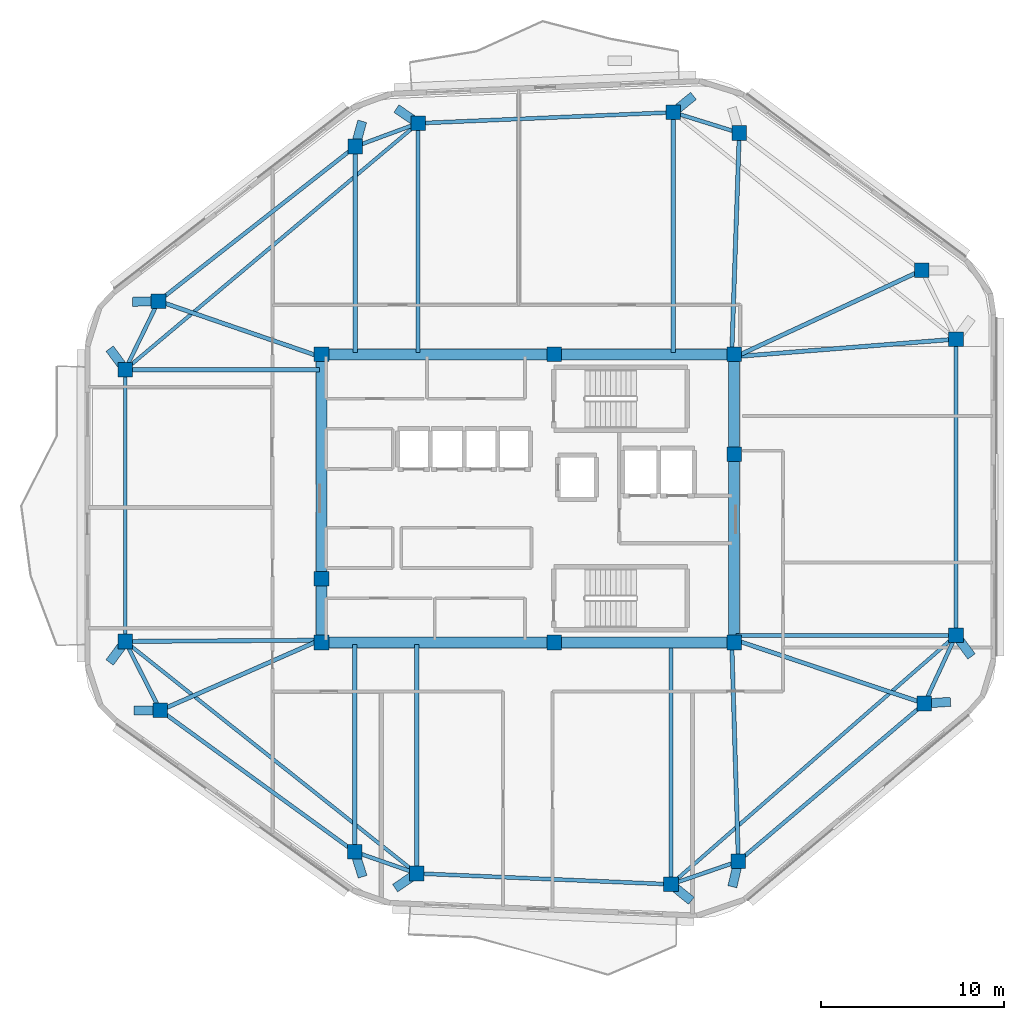
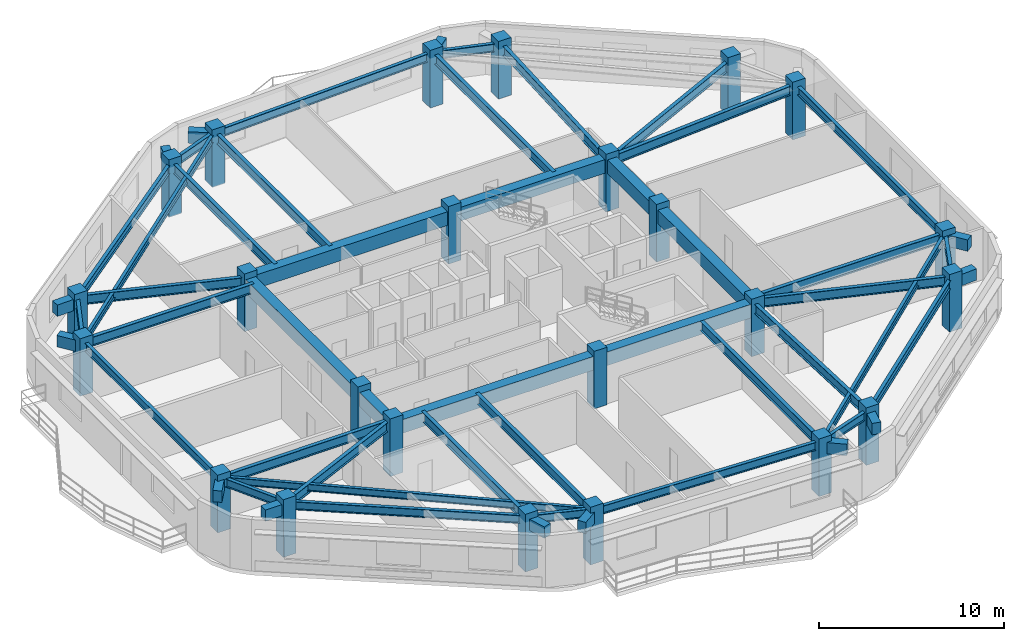
# One storey, part 1 of 9: 54 beams, 24 columns.
"""IFC4 building model written with IfcOpenShell, lengths in metres."""

from ifc_helpers import new_model, si_unit, direction, frame, origin, origin_2d, place, context, subcontext, project, spatial, rectangle, i_section, extrude, material, material_profile, profile_set, type_object, element, save


model = new_model("IFC4")

# Units and contexts
model_context = context("Model", 3, precision=1e-05, world=origin(), true_north=direction((0.0, 1.0)))
body_context = subcontext(model_context, "Body", "Model", "MODEL_VIEW")
ifc_project = project(units=[si_unit("LENGTHUNIT", "METRE"), si_unit("AREAUNIT", "SQUARE_METRE"), si_unit("VOLUMEUNIT", "CUBIC_METRE"), si_unit("PLANEANGLEUNIT", "RADIAN"), si_unit("MASSUNIT", "GRAM", prefix="KILO")], contexts=[model_context])

# Site, building, storey
site_placement = place(None, origin())
site = spatial("IfcSite", under=ifc_project, at=site_placement, CompositionType="ELEMENT")
building_placement = place(site_placement, origin())
building = spatial("IfcBuilding", under=site, at=building_placement, Name="Zulverin Broadcast Headquarters", CompositionType="ELEMENT")
storey_placement = place(building_placement, frame((0.0, 0.0, 304.800048828125)))
storey = spatial("IfcBuildingStorey", under=building, at=storey_placement, Name="L78", CompositionType="ELEMENT", Elevation=304.800048828125)

# Columns
ifc_material_1 = material(Name="Concrete C50/60", Category="concrete")
ifc_material_profile_1 = material_profile(ifc_material_1, rectangle(XDim=0.800048828125, YDim=0.800048828125, at=origin_2d()), Name="Concrete C50/60", Category="concrete")
ifc_profile_set_1 = profile_set([ifc_material_profile_1], Name="Concrete C50/60")
column_type_1 = type_object("IfcColumnType", Name="COL-RC-800", PredefinedType="COLUMN", material=ifc_profile_set_1)
for number, where, z_axis, x_axis, name in (
    (1, (30.93359375, 4.703125, 0.0), (0.0, 0.0, 1.0), (1.0, 0.0, 0.0), "L78 Perimeter Column T01"),
    (2, (44.826904296875, 4.1083984375, 0.0), (0.0, 0.0, 1.0), (1.0, 0.0, 0.0), "L78 Perimeter Column T02"),
    (3, (48.5078125, 5.3701171875, 0.0), (0.0, 0.0, 1.0), (1.0, 0.0, 0.0), "L78 Perimeter Column T03"),
    (4, (58.6748046875, 13.9892578125, 0.0), (0.0, 0.0, 1.0), (1.0, 0.0, 0.0), "L78 Perimeter Column T04"),
    (5, (60.39990234375, 17.713623046875, 0.0), (0.0, 0.0, 1.0), (1.0, 0.0, 0.0), "L78 Perimeter Column T05"),
    (6, (60.39990234375, 33.903076171875, 0.0), (0.0, 0.0, 1.0), (1.0, 0.0, 0.0), "L78 Perimeter Column T06"),
    (7, (58.52587890625, 37.661865234375, 0.0), (0.0, 0.0, 1.0), (1.0, 0.0, 0.0), "L78 Perimeter Column T07"),
    (8, (48.55908203125, 45.172607421875, 0.0), (0.0, 0.0, 1.0), (1.0, 0.0, 0.0), "L78 Perimeter Column T08"),
    (9, (44.944580078125, 46.296630859375, 0.0), (0.0, 0.0, 1.0), (1.0, 0.0, 0.0), "L78 Perimeter Column T09"),
    (10, (31.006591796875, 45.699951171875, 0.0), (0.0, 0.0, 1.0), (1.0, 0.0, 0.0), "L78 Perimeter Column T10"),
    (11, (27.573486328125, 44.4296875, 0.0), (0.0, 0.0, 1.0), (1.0, 0.0, 0.0), "L78 Perimeter Column T11"),
    (12, (16.82177734375, 35.98388671875, 0.0), (0.0, 0.0, 1.0), (1.0, 0.0, 0.0), "L78 Perimeter Column T12"),
    (13, (15.0, 32.236083984375, 0.0), (0.0, 0.0, 1.0), (1.0, 0.0, 0.0), "L78 Perimeter Column T13"),
    (14, (15.0, 17.383056640625, 0.0), (0.0, 0.0, 1.0), (1.0, 0.0, 0.0), "L78 Perimeter Column T14"),
    (15, (16.918212890625, 13.61572265625, 0.0), (0.0, 0.0, 1.0), (1.0, 0.0, 0.0), "L78 Perimeter Column T15"),
    (16, (27.54541015625, 5.8857421875, 0.0), (0.0, 0.0, 1.0), (1.0, 0.0, 0.0), "L78 Perimeter Column T16"),
):
    element("IfcColumn", number, at=place(storey_placement, frame(where, z_axis=z_axis, x_axis=x_axis)), inside=storey, type_object=column_type_1, Name=name, PredefinedType="COLUMN", context=body_context, shape_type="SweptSolid", body=[
        extrude(rectangle(XDim=0.800048828125, YDim=0.800048828125, at=origin_2d()), origin(), (0.0, 0.0, 1.0), 3.800048828125),
    ])
ifc_material_profile_2 = material_profile(ifc_material_1, rectangle(XDim=0.800048828125, YDim=0.800048828125, at=origin_2d()), Name="Concrete C50/60", Category="concrete")
ifc_profile_set_2 = profile_set([ifc_material_profile_2], Name="Concrete C50/60")
column_type_2 = type_object("IfcColumnType", Name="PIL-RC-800", PredefinedType="PILASTER", material=ifc_profile_set_2)
for number, where, z_axis, x_axis, name in (
    (17, (25.72509765625, 17.324951171875, 0.0), (0.0, 0.0, 1.0), (1.0, 0.0, 0.0), "L78 Core Pilaster K01"),
    (18, (38.449951171875, 17.324951171875, 0.0), (0.0, 0.0, 1.0), (1.0, 0.0, 0.0), "L78 Core Pilaster K02"),
    (19, (48.27490234375, 17.324951171875, 0.0), (0.0, 0.0, 1.0), (1.0, 0.0, 0.0), "L78 Core Pilaster K03"),
    (20, (48.27490234375, 27.6201171875, 0.0), (0.0, 0.0, 1.0), (1.0, 0.0, 0.0), "L78 Core Pilaster K04"),
    (21, (48.27490234375, 33.074951171875, 0.0), (0.0, 0.0, 1.0), (1.0, 0.0, 0.0), "L78 Core Pilaster K05"),
    (22, (38.449951171875, 33.074951171875, 0.0), (0.0, 0.0, 1.0), (1.0, 0.0, 0.0), "L78 Core Pilaster K06"),
    (23, (25.72509765625, 33.074951171875, 0.0), (0.0, 0.0, 1.0), (1.0, 0.0, 0.0), "L78 Core Pilaster K07"),
    (24, (25.72509765625, 20.800048828125, 0.0), (0.0, 0.0, 1.0), (1.0, 0.0, 0.0), "L78 Core Pilaster K08"),
):
    element("IfcColumn", number, at=place(storey_placement, frame(where, z_axis=z_axis, x_axis=x_axis)), inside=storey, type_object=column_type_2, Name=name, PredefinedType="PILASTER", context=body_context, shape_type="SweptSolid", body=[
        extrude(rectangle(XDim=0.800048828125, YDim=0.800048828125, at=origin_2d()), origin(), (0.0, 0.0, 1.0), 3.800048828125),
    ])

# Beams
ifc_material_2 = material(Name="Concrete C60/75", Category="concrete")
ifc_material_profile_3 = material_profile(ifc_material_2, rectangle(XDim=0.60009765625, YDim=0.89990234375, at=origin_2d()), Name="Concrete C60/75", Category="concrete")
ifc_profile_set_3 = profile_set([ifc_material_profile_3], Name="Concrete C60/75")
beam_type_1 = type_object("IfcBeamType", Name="BM-CB-600x900", PredefinedType="LINTEL", material=ifc_profile_set_3)
beam_1_placement = place(storey_placement, frame((25.72509765625, 17.324951171875, 2.949951171875), z_axis=(1.0, 0.0, 0.0), x_axis=(0.0, 1.0, 0.0)))
element("IfcBeam", 25, at=beam_1_placement, inside=storey, type_object=beam_type_1, Name="L78 Core Coupling Girder K01-K02", PredefinedType="LINTEL", context=body_context, shape_type="SweptSolid", body=[
    extrude(rectangle(XDim=0.60009765625, YDim=0.89990234375, at=origin_2d()), origin(), (0.0, 0.0, 1.0), 12.724853515625),
])
beam_2_placement = place(storey_placement, frame((38.449951171875, 17.324951171875, 2.949951171875), z_axis=(1.0, 0.0, 0.0), x_axis=(0.0, 1.0, 0.0)))
element("IfcBeam", 26, at=beam_2_placement, inside=storey, type_object=beam_type_1, Name="L78 Core Coupling Girder K02-K03", PredefinedType="LINTEL", context=body_context, shape_type="SweptSolid", body=[
    extrude(rectangle(XDim=0.60009765625, YDim=0.89990234375, at=origin_2d()), origin(), (0.0, 0.0, 1.0), 9.824951171875),
])
beam_3_placement = place(storey_placement, frame((48.27490234375, 17.324951171875, 2.949951171875), z_axis=(0.0, 1.0, 0.0), x_axis=(-1.0, 0.0, 0.0)))
element("IfcBeam", 27, at=beam_3_placement, inside=storey, type_object=beam_type_1, Name="L78 Core Coupling Girder K03-K04", PredefinedType="LINTEL", context=body_context, shape_type="SweptSolid", body=[
    extrude(rectangle(XDim=0.60009765625, YDim=0.89990234375, at=origin_2d()), origin(), (0.0, 0.0, 1.0), 10.295166015625),
])
beam_4_placement = place(storey_placement, frame((48.27490234375, 27.6201171875, 2.949951171875), z_axis=(0.0, 1.0, 0.0), x_axis=(-1.0, 0.0, 0.0)))
element("IfcBeam", 28, at=beam_4_placement, inside=storey, type_object=beam_type_1, Name="L78 Core Coupling Girder K04-K05", PredefinedType="LINTEL", context=body_context, shape_type="SweptSolid", body=[
    extrude(rectangle(XDim=0.60009765625, YDim=0.89990234375, at=origin_2d()), origin(), (0.0, 0.0, 1.0), 5.454833984375),
])
beam_5_placement = place(storey_placement, frame((48.27490234375, 33.074951171875, 2.949951171875), z_axis=(-1.0, 0.0, 0.0), x_axis=(0.0, -1.0, 0.0)))
element("IfcBeam", 29, at=beam_5_placement, inside=storey, type_object=beam_type_1, Name="L78 Core Coupling Girder K05-K06", PredefinedType="LINTEL", context=body_context, shape_type="SweptSolid", body=[
    extrude(rectangle(XDim=0.60009765625, YDim=0.89990234375, at=origin_2d()), origin(), (0.0, 0.0, 1.0), 9.824951171875),
])
beam_6_placement = place(storey_placement, frame((38.449951171875, 33.074951171875, 2.949951171875), z_axis=(-1.0, 0.0, 0.0), x_axis=(0.0, -1.0, 0.0)))
element("IfcBeam", 30, at=beam_6_placement, inside=storey, type_object=beam_type_1, Name="L78 Core Coupling Girder K06-K07", PredefinedType="LINTEL", context=body_context, shape_type="SweptSolid", body=[
    extrude(rectangle(XDim=0.60009765625, YDim=0.89990234375, at=origin_2d()), origin(), (0.0, 0.0, 1.0), 12.724853515625),
])
beam_7_placement = place(storey_placement, frame((25.72509765625, 33.074951171875, 2.949951171875), z_axis=(0.0, -1.0, 0.0), x_axis=(1.0, 0.0, 0.0)))
element("IfcBeam", 31, at=beam_7_placement, inside=storey, type_object=beam_type_1, Name="L78 Core Coupling Girder K07-K08", PredefinedType="LINTEL", context=body_context, shape_type="SweptSolid", body=[
    extrude(rectangle(XDim=0.60009765625, YDim=0.89990234375, at=origin_2d()), origin(), (0.0, 0.0, 1.0), 12.27490234375),
])
beam_8_placement = place(storey_placement, frame((25.72509765625, 20.800048828125, 2.949951171875), z_axis=(0.0, -1.0, 0.0), x_axis=(1.0, 0.0, 0.0)))
element("IfcBeam", 32, at=beam_8_placement, inside=storey, type_object=beam_type_1, Name="L78 Core Coupling Girder K08-K01", PredefinedType="LINTEL", context=body_context, shape_type="SweptSolid", body=[
    extrude(rectangle(XDim=0.60009765625, YDim=0.89990234375, at=origin_2d()), origin(), (0.0, 0.0, 1.0), 3.47509765625),
])
ifc_material_3 = material(Name="Concrete C40/50", Category="concrete")
ifc_material_profile_4 = material_profile(ifc_material_3, rectangle(XDim=0.5, YDim=0.75, at=origin_2d()), Name="Concrete C40/50", Category="concrete")
ifc_profile_set_4 = profile_set([ifc_material_profile_4], Name="Concrete C40/50")
beam_type_2 = type_object("IfcBeamType", Name="BM-RC-500x750", PredefinedType="BEAM", material=ifc_profile_set_4)
beam_9_placement = place(storey_placement, frame((30.93359375, 4.703125, 3.02490234375), z_axis=(-0.828937735215, -0.55934088992, 0.0), x_axis=(0.55934088992, -0.828937735215, 0.0)))
element("IfcBeam", 33, at=beam_9_placement, inside=storey, type_object=beam_type_2, Name="L79 Plate Overhang Back-Spanned Beam OVR-01", PredefinedType="BEAM", context=body_context, shape_type="SweptSolid", body=[
    extrude(rectangle(XDim=0.5, YDim=0.75, at=origin_2d()), origin(), (0.0, 0.0, 1.0), 1.429931640625),
])
for number, where, z_axis, x_axis, name in (
    (34, (44.826904296875, 4.1083984375, 3.02490234375), (0.778063117916, -0.628186106611, 0.0), (0.628186106611, 0.778063117916, 0.0), "L79 Plate Overhang Back-Spanned Beam OVR-02"),
    (35, (48.5078125, 5.3701171875, 3.02490234375), (-0.229096424131, -0.97340373353, 0.0), (0.97340373353, -0.229096424131, 0.0), "L79 Plate Overhang Back-Spanned Beam OVR-03"),
    (36, (58.6748046875, 13.9892578125, 3.02490234375), (0.997770025499, 0.066745608207, 0.0), (-0.066745608207, 0.997770025499, 0.0), "L79 Plate Overhang Back-Spanned Beam OVR-04"),
):
    element("IfcBeam", number, at=place(storey_placement, frame(where, z_axis=z_axis, x_axis=x_axis)), inside=storey, type_object=beam_type_2, Name=name, PredefinedType="BEAM", context=body_context, shape_type="SweptSolid", body=[
        extrude(rectangle(XDim=0.5, YDim=0.75, at=origin_2d()), origin(), (0.0, 0.0, 1.0), 1.43017578125),
    ])
beam_10_placement = place(storey_placement, frame((60.39990234375, 17.713623046875, 3.02490234375), z_axis=(0.594467864193, -0.804119368279, 0.0), x_axis=(0.804119368279, 0.594467864193, 0.0)))
element("IfcBeam", 37, at=beam_10_placement, inside=storey, type_object=beam_type_2, Name="L79 Plate Overhang Back-Spanned Beam OVR-05", PredefinedType="BEAM", context=body_context, shape_type="SweptSolid", body=[
    extrude(rectangle(XDim=0.5, YDim=0.75, at=origin_2d()), origin(), (0.0, 0.0, 1.0), 1.429931640625),
])
beam_11_placement = place(storey_placement, frame((44.944580078125, 46.296630859375, 3.02490234375), z_axis=(0.778063117916, 0.628186106611, 0.0), x_axis=(-0.628186106611, 0.778063117916, 0.0)))
element("IfcBeam", 38, at=beam_11_placement, inside=storey, type_object=beam_type_2, Name="L79 Plate Overhang Back-Spanned Beam OVR-09", PredefinedType="BEAM", context=body_context, shape_type="SweptSolid", body=[
    extrude(rectangle(XDim=0.5, YDim=0.75, at=origin_2d()), origin(), (0.0, 0.0, 1.0), 1.43017578125),
])
beam_12_placement = place(storey_placement, frame((31.006591796875, 45.699951171875, 3.02490234375), z_axis=(-0.82885856985, 0.559458194315, 0.0), x_axis=(-0.559458194315, -0.82885856985, 0.0)))
element("IfcBeam", 39, at=beam_12_placement, inside=storey, type_object=beam_type_2, Name="L79 Plate Overhang Back-Spanned Beam OVR-10", PredefinedType="BEAM", context=body_context, shape_type="SweptSolid", body=[
    extrude(rectangle(XDim=0.5, YDim=0.75, at=origin_2d()), origin(), (0.0, 0.0, 1.0), 1.429931640625),
])
for number, where, z_axis, x_axis, name in (
    (40, (27.573486328125, 44.4296875, 3.02490234375), (0.265124739882, 0.964214121605, 0.0), (-0.964214121605, 0.265124739882, 0.0), "L79 Plate Overhang Back-Spanned Beam OVR-11"),
    (41, (16.82177734375, 35.98388671875, 3.02490234375), (-0.999568786729, -0.029363933615, 0.0), (0.029363933615, -0.999568786729, 0.0), "L79 Plate Overhang Back-Spanned Beam OVR-12"),
):
    element("IfcBeam", number, at=place(storey_placement, frame(where, z_axis=z_axis, x_axis=x_axis)), inside=storey, type_object=beam_type_2, Name=name, PredefinedType="BEAM", context=body_context, shape_type="SweptSolid", body=[
        extrude(rectangle(XDim=0.5, YDim=0.75, at=origin_2d()), origin(), (0.0, 0.0, 1.0), 1.43017578125),
    ])
for number, where, z_axis, x_axis, name in (
    (42, (15.0, 32.236083984375, 3.02490234375), (-0.594467864193, 0.804119368279, 0.0), (-0.804119368279, -0.594467864193, 0.0), "L79 Plate Overhang Back-Spanned Beam OVR-13"),
    (43, (15.0, 17.383056640625, 3.02490234375), (-0.594467864193, -0.804119368279, 0.0), (0.804119368279, -0.594467864193, 0.0), "L79 Plate Overhang Back-Spanned Beam OVR-14"),
    (44, (16.918212890625, 13.61572265625, 3.02490234375), (-0.999970486185, -0.007682887464, 0.0), (0.007682887464, -0.999970486185, 0.0), "L79 Plate Overhang Back-Spanned Beam OVR-15"),
    (45, (27.54541015625, 5.8857421875, 3.02490234375), (0.300820861174, -0.953680664312, 0.0), (0.953680664312, 0.300820861174, 0.0), "L79 Plate Overhang Back-Spanned Beam OVR-16"),
):
    element("IfcBeam", number, at=place(storey_placement, frame(where, z_axis=z_axis, x_axis=x_axis)), inside=storey, type_object=beam_type_2, Name=name, PredefinedType="BEAM", context=body_context, shape_type="SweptSolid", body=[
        extrude(rectangle(XDim=0.5, YDim=0.75, at=origin_2d()), origin(), (0.0, 0.0, 1.0), 1.429931640625),
    ])
ifc_material_4 = material(Name="Structural steel S355JR", Category="steel")
ifc_material_profile_5 = material_profile(ifc_material_4, i_section(OverallWidth=0.19287109375, OverallDepth=0.46728515625, WebThickness=0.011474609375, FlangeThickness=0.01953125, at=origin_2d()), Name="Structural steel S355JR", Category="steel")
ifc_profile_set_5 = profile_set([ifc_material_profile_5], Name="Structural steel S355JR")
beam_type_3 = type_object("IfcBeamType", Name="BM-UB-457", PredefinedType="JOIST", material=ifc_profile_set_5)
beam_13_placement = place(storey_placement, frame((44.826904296875, 4.1083984375, 3.166259765625), z_axis=(0.753083303383, 0.657925176723, 0.0), x_axis=(-0.657925176723, 0.753083303383, 0.0)))
element("IfcBeam", 46, at=beam_13_placement, inside=storey, type_object=beam_type_3, Name="L78 Chordal Floor Joist J-01", PredefinedType="JOIST", context=body_context, shape_type="SweptSolid", body=[
    extrude(i_section(OverallWidth=0.19287109375, OverallDepth=0.46728515625, WebThickness=0.011474609375, FlangeThickness=0.01953125, at=origin_2d()), origin(), (0.0, 0.0, 1.0), 20.678955078125),
])
beam_14_placement = place(storey_placement, frame((31.006591796875, 45.699951171875, 3.166259765625), z_axis=(-0.765273089862, -0.643705754156, 0.0), x_axis=(0.643705754156, -0.765273089862, 0.0)))
element("IfcBeam", 47, at=beam_14_placement, inside=storey, type_object=beam_type_3, Name="L78 Chordal Floor Joist J-03", PredefinedType="JOIST", context=body_context, shape_type="SweptSolid", body=[
    extrude(i_section(OverallWidth=0.19287109375, OverallDepth=0.46728515625, WebThickness=0.011474609375, FlangeThickness=0.01953125, at=origin_2d()), origin(), (0.0, 0.0, 1.0), 20.916259765625),
])
beam_15_placement = place(storey_placement, frame((15.0, 17.383056640625, 3.166259765625), z_axis=(0.782469878912, -0.622688436214, 0.0), x_axis=(0.622688436214, 0.782469878912, 0.0)))
element("IfcBeam", 48, at=beam_15_placement, inside=storey, type_object=beam_type_3, Name="L78 Chordal Floor Joist J-04", PredefinedType="JOIST", context=body_context, shape_type="SweptSolid", body=[
    extrude(i_section(OverallWidth=0.19287109375, OverallDepth=0.46728515625, WebThickness=0.011474609375, FlangeThickness=0.01953125, at=origin_2d()), origin(), (0.0, 0.0, 1.0), 20.36328125),
])
ifc_material_profile_6 = material_profile(ifc_material_4, i_section(OverallWidth=0.2119140625, OverallDepth=0.54443359375, WebThickness=0.0126953125, FlangeThickness=0.021240234375, at=origin_2d()), Name="Structural steel S355JR", Category="steel")
ifc_profile_set_6 = profile_set([ifc_material_profile_6], Name="Structural steel S355JR")
beam_type_4 = type_object("IfcBeamType", Name="BM-UB-533", PredefinedType="SPANDREL", material=ifc_profile_set_6)
beam_16_placement = place(storey_placement, frame((30.93359375, 4.703125, 3.127685546875), z_axis=(0.999085051108, -0.042767518662, 0.0), x_axis=(0.042767518662, 0.999085051108, 0.0)))
element("IfcBeam", 49, at=beam_16_placement, inside=storey, type_object=beam_type_4, Name="L78 Perimeter Spandrel Beam SP-01", PredefinedType="SPANDREL", context=body_context, shape_type="SweptSolid", body=[
    extrude(i_section(OverallWidth=0.2119140625, OverallDepth=0.54443359375, WebThickness=0.0126953125, FlangeThickness=0.021240234375, at=origin_2d()), origin(), (0.0, 0.0, 1.0), 13.906005859375),
])
beam_17_placement = place(storey_placement, frame((44.826904296875, 4.1083984375, 3.127685546875), z_axis=(0.945970142065, 0.324253743728, 0.0), x_axis=(-0.324253743728, 0.945970142065, 0.0)))
element("IfcBeam", 50, at=beam_17_placement, inside=storey, type_object=beam_type_4, Name="L78 Perimeter Spandrel Beam SP-02", PredefinedType="SPANDREL", context=body_context, shape_type="SweptSolid", body=[
    extrude(i_section(OverallWidth=0.2119140625, OverallDepth=0.54443359375, WebThickness=0.0126953125, FlangeThickness=0.021240234375, at=origin_2d()), origin(), (0.0, 0.0, 1.0), 3.89111328125),
])
beam_18_placement = place(storey_placement, frame((48.5078125, 5.3701171875, 3.127685546875), z_axis=(0.762782889345, 0.646654671152, 0.0), x_axis=(-0.646654671152, 0.762782889345, 0.0)))
element("IfcBeam", 51, at=beam_18_placement, inside=storey, type_object=beam_type_4, Name="L78 Perimeter Spandrel Beam SP-03", PredefinedType="SPANDREL", context=body_context, shape_type="SweptSolid", body=[
    extrude(i_section(OverallWidth=0.2119140625, OverallDepth=0.54443359375, WebThickness=0.0126953125, FlangeThickness=0.021240234375, at=origin_2d()), origin(), (0.0, 0.0, 1.0), 13.328857421875),
])
beam_19_placement = place(storey_placement, frame((58.6748046875, 13.9892578125, 3.127685546875), z_axis=(0.420294999852, 0.907387520908, 0.0), x_axis=(-0.907387520908, 0.420294999852, 0.0)))
element("IfcBeam", 52, at=beam_19_placement, inside=storey, type_object=beam_type_4, Name="L78 Perimeter Spandrel Beam SP-04", PredefinedType="SPANDREL", context=body_context, shape_type="SweptSolid", body=[
    extrude(i_section(OverallWidth=0.2119140625, OverallDepth=0.54443359375, WebThickness=0.0126953125, FlangeThickness=0.021240234375, at=origin_2d()), origin(), (0.0, 0.0, 1.0), 4.1044921875),
])
beam_20_placement = place(storey_placement, frame((60.39990234375, 17.713623046875, 3.127685546875), z_axis=(0.0, 1.0, 0.0), x_axis=(-1.0, 0.0, 0.0)))
element("IfcBeam", 53, at=beam_20_placement, inside=storey, type_object=beam_type_4, Name="L78 Perimeter Spandrel Beam SP-05", PredefinedType="SPANDREL", context=body_context, shape_type="SweptSolid", body=[
    extrude(i_section(OverallWidth=0.2119140625, OverallDepth=0.54443359375, WebThickness=0.0126953125, FlangeThickness=0.021240234375, at=origin_2d()), origin(), (0.0, 0.0, 1.0), 16.189453125),
])
beam_21_placement = place(storey_placement, frame((48.55908203125, 45.172607421875, 3.127685546875), z_axis=(-0.954893359596, 0.296948938033, 0.0), x_axis=(-0.296948938033, -0.954893359596, 0.0)))
element("IfcBeam", 54, at=beam_21_placement, inside=storey, type_object=beam_type_4, Name="L78 Perimeter Spandrel Beam SP-08", PredefinedType="SPANDREL", context=body_context, shape_type="SweptSolid", body=[
    extrude(i_section(OverallWidth=0.2119140625, OverallDepth=0.54443359375, WebThickness=0.0126953125, FlangeThickness=0.021240234375, at=origin_2d()), origin(), (0.0, 0.0, 1.0), 3.78515625),
])
beam_22_placement = place(storey_placement, frame((44.944580078125, 46.296630859375, 3.127685546875), z_axis=(-0.999084926695, -0.042770424958, 0.0), x_axis=(0.042770424958, -0.999084926695, 0.0)))
element("IfcBeam", 55, at=beam_22_placement, inside=storey, type_object=beam_type_4, Name="L78 Perimeter Spandrel Beam SP-09", PredefinedType="SPANDREL", context=body_context, shape_type="SweptSolid", body=[
    extrude(i_section(OverallWidth=0.2119140625, OverallDepth=0.54443359375, WebThickness=0.0126953125, FlangeThickness=0.021240234375, at=origin_2d()), origin(), (0.0, 0.0, 1.0), 13.95068359375),
])
beam_23_placement = place(storey_placement, frame((31.006591796875, 45.699951171875, 3.127685546875), z_axis=(-0.937860540342, -0.347012401607, 0.0), x_axis=(0.347012401607, -0.937860540342, 0.0)))
element("IfcBeam", 56, at=beam_23_placement, inside=storey, type_object=beam_type_4, Name="L78 Perimeter Spandrel Beam SP-10", PredefinedType="SPANDREL", context=body_context, shape_type="SweptSolid", body=[
    extrude(i_section(OverallWidth=0.2119140625, OverallDepth=0.54443359375, WebThickness=0.0126953125, FlangeThickness=0.021240234375, at=origin_2d()), origin(), (0.0, 0.0, 1.0), 3.66064453125),
])
beam_24_placement = place(storey_placement, frame((27.573486328125, 44.4296875, 3.127685546875), z_axis=(-0.786388352061, -0.617732433779, 0.0), x_axis=(0.617732433779, -0.786388352061, 0.0)))
element("IfcBeam", 57, at=beam_24_placement, inside=storey, type_object=beam_type_4, Name="L78 Perimeter Spandrel Beam SP-11", PredefinedType="SPANDREL", context=body_context, shape_type="SweptSolid", body=[
    extrude(i_section(OverallWidth=0.2119140625, OverallDepth=0.54443359375, WebThickness=0.0126953125, FlangeThickness=0.021240234375, at=origin_2d()), origin(), (0.0, 0.0, 1.0), 13.67236328125),
])
beam_25_placement = place(storey_placement, frame((16.82177734375, 35.98388671875, 3.127685546875), z_axis=(-0.437178884994, -0.899374572976, 0.0), x_axis=(0.899374572976, -0.437178884994, 0.0)))
element("IfcBeam", 58, at=beam_25_placement, inside=storey, type_object=beam_type_4, Name="L78 Perimeter Spandrel Beam SP-12", PredefinedType="SPANDREL", context=body_context, shape_type="SweptSolid", body=[
    extrude(i_section(OverallWidth=0.2119140625, OverallDepth=0.54443359375, WebThickness=0.0126953125, FlangeThickness=0.021240234375, at=origin_2d()), origin(), (0.0, 0.0, 1.0), 4.167236328125),
])
beam_26_placement = place(storey_placement, frame((15.0, 32.236083984375, 3.127685546875), z_axis=(0.0, -1.0, 0.0), x_axis=(1.0, 0.0, 0.0)))
element("IfcBeam", 59, at=beam_26_placement, inside=storey, type_object=beam_type_4, Name="L78 Perimeter Spandrel Beam SP-13", PredefinedType="SPANDREL", context=body_context, shape_type="SweptSolid", body=[
    extrude(i_section(OverallWidth=0.2119140625, OverallDepth=0.54443359375, WebThickness=0.0126953125, FlangeThickness=0.021240234375, at=origin_2d()), origin(), (0.0, 0.0, 1.0), 14.85302734375),
])
beam_27_placement = place(storey_placement, frame((15.0, 17.383056640625, 3.127685546875), z_axis=(0.453738909408, -0.89113467113, 0.0), x_axis=(0.89113467113, 0.453738909408, 0.0)))
element("IfcBeam", 60, at=beam_27_placement, inside=storey, type_object=beam_type_4, Name="L78 Perimeter Spandrel Beam SP-14", PredefinedType="SPANDREL", context=body_context, shape_type="SweptSolid", body=[
    extrude(i_section(OverallWidth=0.2119140625, OverallDepth=0.54443359375, WebThickness=0.0126953125, FlangeThickness=0.021240234375, at=origin_2d()), origin(), (0.0, 0.0, 1.0), 4.2275390625),
])
beam_28_placement = place(storey_placement, frame((16.918212890625, 13.61572265625, 3.127685546875), z_axis=(0.808695913066, -0.588226929162, 0.0), x_axis=(0.588226929162, 0.808695913066, 0.0)))
element("IfcBeam", 61, at=beam_28_placement, inside=storey, type_object=beam_type_4, Name="L78 Perimeter Spandrel Beam SP-15", PredefinedType="SPANDREL", context=body_context, shape_type="SweptSolid", body=[
    extrude(i_section(OverallWidth=0.2119140625, OverallDepth=0.54443359375, WebThickness=0.0126953125, FlangeThickness=0.021240234375, at=origin_2d()), origin(), (0.0, 0.0, 1.0), 13.14111328125),
])
beam_29_placement = place(storey_placement, frame((27.54541015625, 5.8857421875, 3.127685546875), z_axis=(0.944140138036, -0.329544230339, 0.0), x_axis=(0.329544230339, 0.944140138036, 0.0)))
element("IfcBeam", 62, at=beam_29_placement, inside=storey, type_object=beam_type_4, Name="L78 Perimeter Spandrel Beam SP-16", PredefinedType="SPANDREL", context=body_context, shape_type="SweptSolid", body=[
    extrude(i_section(OverallWidth=0.2119140625, OverallDepth=0.54443359375, WebThickness=0.0126953125, FlangeThickness=0.021240234375, at=origin_2d()), origin(), (0.0, 0.0, 1.0), 3.588623046875),
])
ifc_material_profile_7 = material_profile(ifc_material_4, i_section(OverallWidth=0.230224609375, OverallDepth=0.6171875, WebThickness=0.01318359375, FlangeThickness=0.022216796875, at=origin_2d()), Name="Structural steel S355JR", Category="steel")
ifc_profile_set_7 = profile_set([ifc_material_profile_7], Name="Structural steel S355JR")
beam_type_5 = type_object("IfcBeamType", Name="BM-UB-610", PredefinedType="BEAM", material=ifc_profile_set_7)
beam_30_placement = place(storey_placement, frame((30.93359375, 17.22509765625, 3.09130859375), z_axis=(0.0, -1.0, 0.0), x_axis=(1.0, 0.0, 0.0)))
element("IfcBeam", 63, at=beam_30_placement, inside=storey, type_object=beam_type_5, Name="L78 Radial Primary Floor Beam RB-01", PredefinedType="BEAM", context=body_context, shape_type="SweptSolid", body=[
    extrude(i_section(OverallWidth=0.230224609375, OverallDepth=0.6171875, WebThickness=0.01318359375, FlangeThickness=0.022216796875, at=origin_2d()), origin(), (0.0, 0.0, 1.0), 12.52197265625),
])
beam_31_placement = place(storey_placement, frame((44.826904296875, 17.22509765625, 3.09130859375), z_axis=(0.0, -1.0, 0.0), x_axis=(1.0, 0.0, 0.0)))
element("IfcBeam", 64, at=beam_31_placement, inside=storey, type_object=beam_type_5, Name="L78 Radial Primary Floor Beam RB-02", PredefinedType="BEAM", context=body_context, shape_type="SweptSolid", body=[
    extrude(i_section(OverallWidth=0.230224609375, OverallDepth=0.6171875, WebThickness=0.01318359375, FlangeThickness=0.022216796875, at=origin_2d()), origin(), (0.0, 0.0, 1.0), 13.11669921875),
])
beam_32_placement = place(storey_placement, frame((48.14990234375, 17.22509765625, 3.09130859375), z_axis=(0.030176950096, -0.999544572134, 0.0), x_axis=(0.999544572134, 0.030176950096, 0.0)))
element("IfcBeam", 65, at=beam_32_placement, inside=storey, type_object=beam_type_5, Name="L78 Radial Primary Floor Beam RB-03", PredefinedType="BEAM", context=body_context, shape_type="SweptSolid", body=[
    extrude(i_section(OverallWidth=0.230224609375, OverallDepth=0.6171875, WebThickness=0.01318359375, FlangeThickness=0.022216796875, at=origin_2d()), origin(), (0.0, 0.0, 1.0), 11.8603515625),
])
beam_33_placement = place(storey_placement, frame((48.375, 17.449951171875, 3.09130859375), z_axis=(0.947923372096, -0.318498478228, 0.0), x_axis=(0.318498478228, 0.947923372096, 0.0)))
element("IfcBeam", 66, at=beam_33_placement, inside=storey, type_object=beam_type_5, Name="L78 Radial Primary Floor Beam RB-04", PredefinedType="BEAM", context=body_context, shape_type="SweptSolid", body=[
    extrude(i_section(OverallWidth=0.230224609375, OverallDepth=0.6171875, WebThickness=0.01318359375, FlangeThickness=0.022216796875, at=origin_2d()), origin(), (0.0, 0.0, 1.0), 10.86572265625),
])
beam_34_placement = place(storey_placement, frame((48.375, 17.713623046875, 3.09130859375), z_axis=(1.0, 0.0, 0.0), x_axis=(0.0, 1.0, 0.0)))
element("IfcBeam", 67, at=beam_34_placement, inside=storey, type_object=beam_type_5, Name="L78 Radial Primary Floor Beam RB-05", PredefinedType="BEAM", context=body_context, shape_type="SweptSolid", body=[
    extrude(i_section(OverallWidth=0.230224609375, OverallDepth=0.6171875, WebThickness=0.01318359375, FlangeThickness=0.022216796875, at=origin_2d()), origin(), (0.0, 0.0, 1.0), 12.02490234375),
])
beam_35_placement = place(storey_placement, frame((48.375, 32.949951171875, 3.09130859375), z_axis=(0.996873444671, 0.079014779064, 0.0), x_axis=(-0.079014779064, 0.996873444671, 0.0)))
element("IfcBeam", 68, at=beam_35_placement, inside=storey, type_object=beam_type_5, Name="L78 Radial Primary Floor Beam RB-06", PredefinedType="BEAM", context=body_context, shape_type="SweptSolid", body=[
    extrude(i_section(OverallWidth=0.230224609375, OverallDepth=0.6171875, WebThickness=0.01318359375, FlangeThickness=0.022216796875, at=origin_2d()), origin(), (0.0, 0.0, 1.0), 12.0625),
])
beam_36_placement = place(storey_placement, frame((48.375, 32.949951171875, 3.09130859375), z_axis=(0.90704288978, 0.421038235912, 0.0), x_axis=(-0.421038235912, 0.90704288978, 0.0)))
element("IfcBeam", 69, at=beam_36_placement, inside=storey, type_object=beam_type_5, Name="L78 Radial Primary Floor Beam RB-07", PredefinedType="BEAM", context=body_context, shape_type="SweptSolid", body=[
    extrude(i_section(OverallWidth=0.230224609375, OverallDepth=0.6171875, WebThickness=0.01318359375, FlangeThickness=0.022216796875, at=origin_2d()), origin(), (0.0, 0.0, 1.0), 11.191162109375),
])
beam_37_placement = place(storey_placement, frame((48.14990234375, 33.175048828125, 3.09130859375), z_axis=(0.034085428247, 0.999418922965, 0.0), x_axis=(-0.999418922965, 0.034085428247, 0.0)))
element("IfcBeam", 70, at=beam_37_placement, inside=storey, type_object=beam_type_5, Name="L78 Radial Primary Floor Beam RB-08", PredefinedType="BEAM", context=body_context, shape_type="SweptSolid", body=[
    extrude(i_section(OverallWidth=0.230224609375, OverallDepth=0.6171875, WebThickness=0.01318359375, FlangeThickness=0.022216796875, at=origin_2d()), origin(), (0.0, 0.0, 1.0), 12.004638671875),
])
beam_38_placement = place(storey_placement, frame((44.944580078125, 33.175048828125, 3.09130859375), z_axis=(0.0, 1.0, 0.0), x_axis=(-1.0, 0.0, 0.0)))
element("IfcBeam", 71, at=beam_38_placement, inside=storey, type_object=beam_type_5, Name="L78 Radial Primary Floor Beam RB-09", PredefinedType="BEAM", context=body_context, shape_type="SweptSolid", body=[
    extrude(i_section(OverallWidth=0.230224609375, OverallDepth=0.6171875, WebThickness=0.01318359375, FlangeThickness=0.022216796875, at=origin_2d()), origin(), (0.0, 0.0, 1.0), 13.12158203125),
])
beam_39_placement = place(storey_placement, frame((31.006591796875, 33.175048828125, 3.09130859375), z_axis=(0.0, 1.0, 0.0), x_axis=(-1.0, 0.0, 0.0)))
element("IfcBeam", 72, at=beam_39_placement, inside=storey, type_object=beam_type_5, Name="L78 Radial Primary Floor Beam RB-10", PredefinedType="BEAM", context=body_context, shape_type="SweptSolid", body=[
    extrude(i_section(OverallWidth=0.230224609375, OverallDepth=0.6171875, WebThickness=0.01318359375, FlangeThickness=0.022216796875, at=origin_2d()), origin(), (0.0, 0.0, 1.0), 12.52490234375),
])
beam_40_placement = place(storey_placement, frame((27.573486328125, 33.175048828125, 3.09130859375), z_axis=(0.0, 1.0, 0.0), x_axis=(-1.0, 0.0, 0.0)))
element("IfcBeam", 73, at=beam_40_placement, inside=storey, type_object=beam_type_5, Name="L78 Radial Primary Floor Beam RB-11", PredefinedType="BEAM", context=body_context, shape_type="SweptSolid", body=[
    extrude(i_section(OverallWidth=0.230224609375, OverallDepth=0.6171875, WebThickness=0.01318359375, FlangeThickness=0.022216796875, at=origin_2d()), origin(), (0.0, 0.0, 1.0), 11.254638671875),
])
beam_41_placement = place(storey_placement, frame((25.625, 32.949951171875, 3.09130859375), z_axis=(-0.945427859505, 0.325831493984, 0.0), x_axis=(-0.325831493984, -0.945427859505, 0.0)))
element("IfcBeam", 74, at=beam_41_placement, inside=storey, type_object=beam_type_5, Name="L78 Radial Primary Floor Beam RB-12", PredefinedType="BEAM", context=body_context, shape_type="SweptSolid", body=[
    extrude(i_section(OverallWidth=0.230224609375, OverallDepth=0.6171875, WebThickness=0.01318359375, FlangeThickness=0.022216796875, at=origin_2d()), origin(), (0.0, 0.0, 1.0), 9.311279296875),
])
beam_42_placement = place(storey_placement, frame((25.625, 32.236083984375, 3.09130859375), z_axis=(-1.0, 0.0, 0.0), x_axis=(0.0, -1.0, 0.0)))
element("IfcBeam", 75, at=beam_42_placement, inside=storey, type_object=beam_type_5, Name="L78 Radial Primary Floor Beam RB-13", PredefinedType="BEAM", context=body_context, shape_type="SweptSolid", body=[
    extrude(i_section(OverallWidth=0.230224609375, OverallDepth=0.6171875, WebThickness=0.01318359375, FlangeThickness=0.022216796875, at=origin_2d()), origin(), (0.0, 0.0, 1.0), 10.625),
])
beam_43_placement = place(storey_placement, frame((25.625, 17.449951171875, 3.09130859375), z_axis=(-0.999980181059, -0.006295831103, 0.0), x_axis=(0.006295831103, -0.999980181059, 0.0)))
element("IfcBeam", 76, at=beam_43_placement, inside=storey, type_object=beam_type_5, Name="L78 Radial Primary Floor Beam RB-14", PredefinedType="BEAM", context=body_context, shape_type="SweptSolid", body=[
    extrude(i_section(OverallWidth=0.230224609375, OverallDepth=0.6171875, WebThickness=0.01318359375, FlangeThickness=0.022216796875, at=origin_2d()), origin(), (0.0, 0.0, 1.0), 10.625244140625),
])
beam_44_placement = place(storey_placement, frame((25.625, 17.449951171875, 3.09130859375), z_axis=(-0.915189360301, -0.403024111924, 0.0), x_axis=(0.403024111924, -0.915189360301, 0.0)))
element("IfcBeam", 77, at=beam_44_placement, inside=storey, type_object=beam_type_5, Name="L78 Radial Primary Floor Beam RB-15", PredefinedType="BEAM", context=body_context, shape_type="SweptSolid", body=[
    extrude(i_section(OverallWidth=0.230224609375, OverallDepth=0.6171875, WebThickness=0.01318359375, FlangeThickness=0.022216796875, at=origin_2d()), origin(), (0.0, 0.0, 1.0), 9.513671875),
])
beam_45_placement = place(storey_placement, frame((27.54541015625, 17.22509765625, 3.09130859375), z_axis=(0.0, -1.0, 0.0), x_axis=(1.0, 0.0, 0.0)))
element("IfcBeam", 78, at=beam_45_placement, inside=storey, type_object=beam_type_5, Name="L78 Radial Primary Floor Beam RB-16", PredefinedType="BEAM", context=body_context, shape_type="SweptSolid", body=[
    extrude(i_section(OverallWidth=0.230224609375, OverallDepth=0.6171875, WebThickness=0.01318359375, FlangeThickness=0.022216796875, at=origin_2d()), origin(), (0.0, 0.0, 1.0), 11.33935546875),
])

save(model, "model.ifc")
